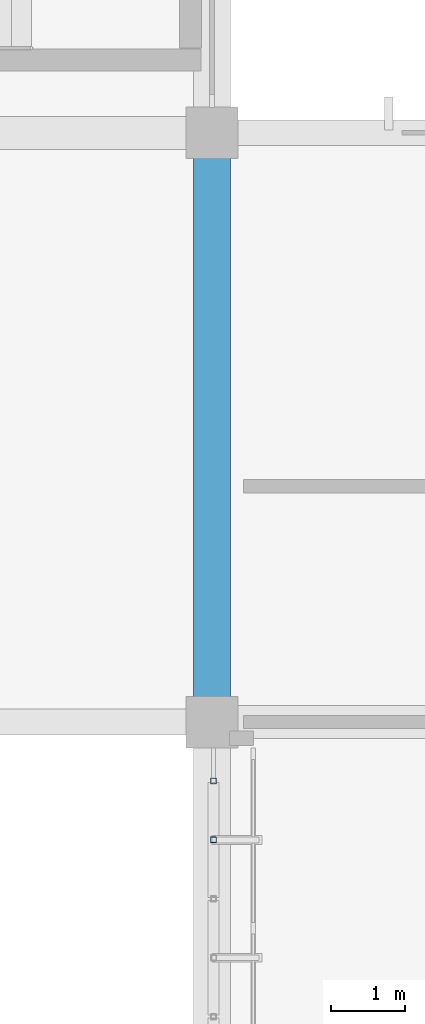
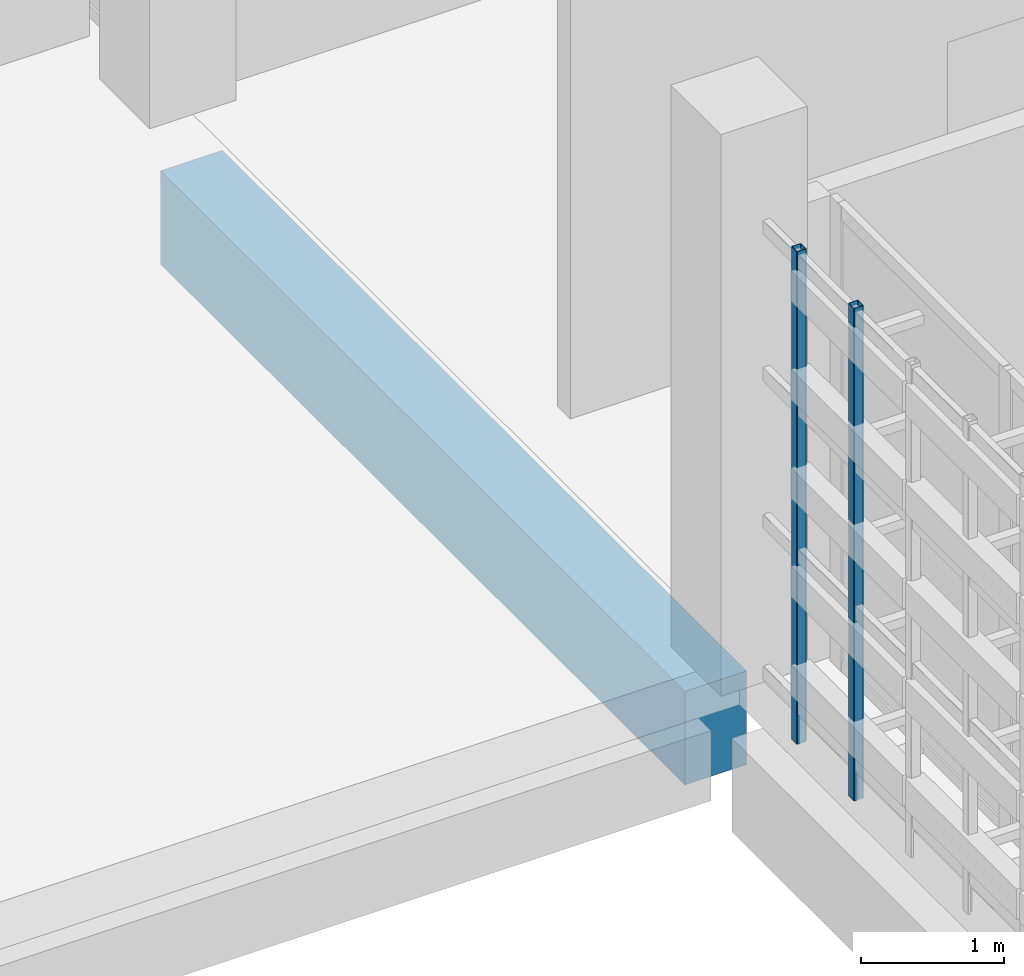
# One storey, part 27 of 117: 2 members, 1 beam.
"""IFC4 building model written with IfcOpenShell, lengths in metres."""

from ifc_helpers import new_model, si_unit, direction, frame, origin, origin_2d, place, context, subcontext, project, spatial, rectangle, hollow_rectangle, extrude, material, material_profile, profile_set, type_object, element, save


model = new_model("IFC4")

# Units and contexts
model_context = context("Model", 3, precision=1e-05, world=origin(), true_north=direction((0.0, 1.0)))
body_context = subcontext(model_context, "Body", "Model", "MODEL_VIEW")
ifc_project = project(units=[si_unit("LENGTHUNIT", "METRE"), si_unit("AREAUNIT", "SQUARE_METRE"), si_unit("VOLUMEUNIT", "CUBIC_METRE"), si_unit("PLANEANGLEUNIT", "RADIAN"), si_unit("MASSUNIT", "GRAM", prefix="KILO")], contexts=[model_context])

# Site, building, storey
site_placement = place(None, origin())
site = spatial("IfcSite", under=ifc_project, at=site_placement, CompositionType="ELEMENT")
building_placement = place(site_placement, origin())
building = spatial("IfcBuilding", under=site, at=building_placement, Name="Jelvoka-Kovrelna Polytechnic", CompositionType="ELEMENT")
storey_placement = place(building_placement, origin())
storey = spatial("IfcBuildingStorey", under=building, at=storey_placement, Name="L01", CompositionType="ELEMENT", Elevation=0.0)

# Beam
ifc_material_1 = material(Name="Concrete C40/50", Category="concrete")
ifc_material_profile_1 = material_profile(ifc_material_1, rectangle(XDim=0.5, YDim=0.800048828125, at=origin_2d()), Name="RC 500x800")
ifc_profile_set_1 = profile_set([ifc_material_profile_1], Name="Concrete C40/50")
beam_type = type_object("IfcBeamType", Name="Beam_RC_500x800", PredefinedType="BEAM", material=ifc_profile_set_1)
beam_placement = place(storey_placement, frame((56.0, 16.330078125, -0.804931640625), z_axis=(0.0, 1.0, 0.0), x_axis=(-1.0, 0.0, 0.0)))
element("IfcBeam", 1, at=beam_placement, inside=storey, type_object=beam_type, Name="L01 beam 0323", PredefinedType="BEAM", context=body_context, shape_type="SweptSolid", body=[
    extrude(rectangle(XDim=0.5, YDim=0.800048828125, at=origin_2d()), origin(), (0.0, 0.0, 1.0), 7.33984375),
])

# Members
ifc_material_2 = material(Name="Structural steel S355J2H", Category="steel")
ifc_material_profile_2 = material_profile(ifc_material_2, hollow_rectangle(XDim=0.080078125, YDim=0.080078125, WallThickness=0.0048828125, InnerFilletRadius=0.0048828125, OuterFilletRadius=0.007568359375, at=origin_2d()), Name="80x80x5.0 SHS")
ifc_profile_set_2 = profile_set([ifc_material_profile_2], Name="Structural steel S355J2H")
member_type = type_object("IfcMemberType", Name="Member_Strut_SHS80", PredefinedType="STRUT", material=ifc_profile_set_2)
for number, where, z_axis, x_axis, name in (
    (2, (56.02001953125, 14.39990234375, -0.22998046875), (0.0, 0.0, 1.0), (1.0, 0.0, 0.0), "L01 terracotta lattice vertical rib 0012"),
    (3, (56.02001953125, 15.199951171875, -0.22998046875), (0.0, 0.0, 1.0), (1.0, 0.0, 0.0), "L01 terracotta lattice vertical rib 0013"),
):
    element("IfcMember", number, at=place(storey_placement, frame(where, z_axis=z_axis, x_axis=x_axis)), inside=storey, type_object=member_type, Name=name, PredefinedType="STRUT", context=body_context, shape_type="SweptSolid", body=[
        extrude(hollow_rectangle(XDim=0.080078125, YDim=0.080078125, WallThickness=0.0048828125, InnerFilletRadius=0.0048828125, OuterFilletRadius=0.007568359375, at=origin_2d()), origin(), (0.0, 0.0, 1.0), 4.2099609375),
    ])

save(model, "model.ifc")
